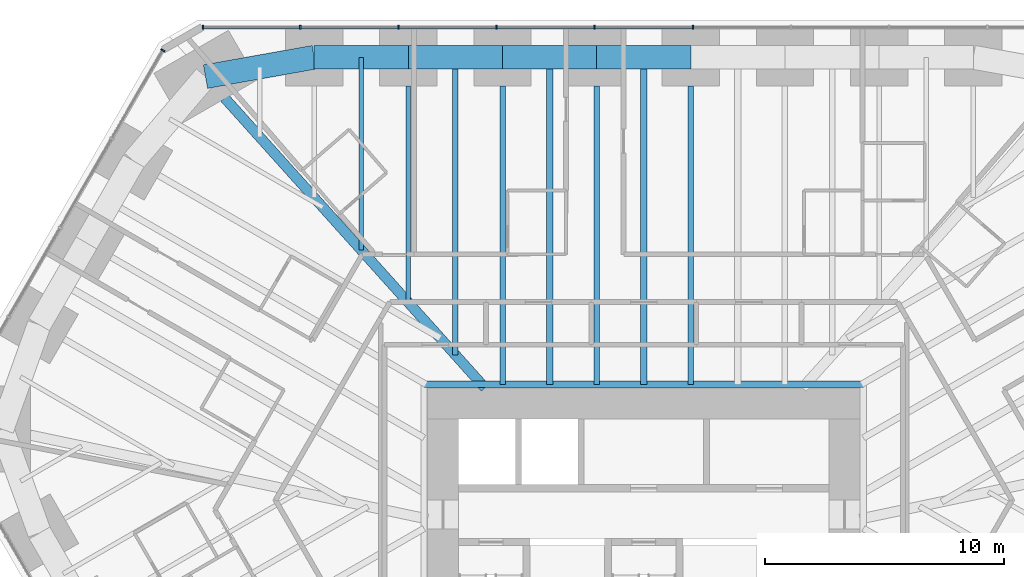
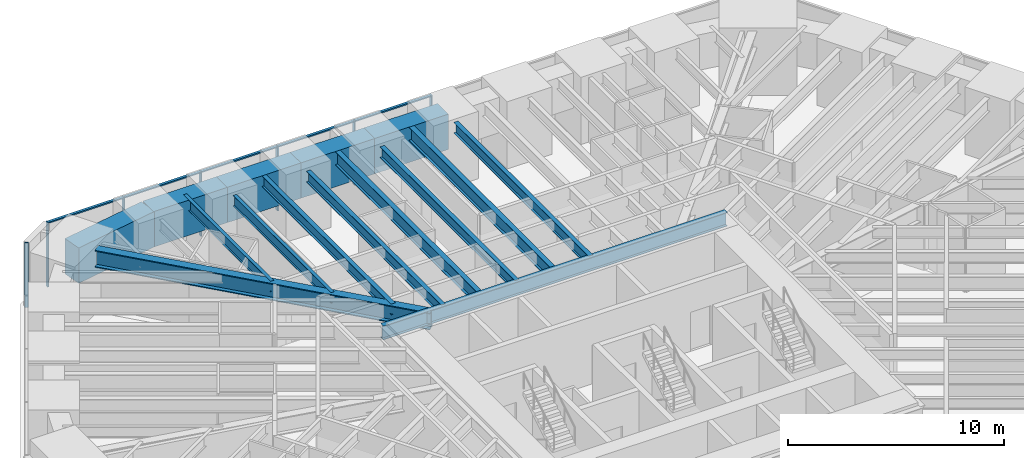
# One storey, part 8 of 17: 15 beams, 12 members, 2 elements without a shape of their own.
"""IFC4 building model written with IfcOpenShell, lengths in metres."""

from ifc_helpers import new_model, si_unit, direction, frame, origin, origin_2d, place, context, subcontext, project, spatial, rectangle, i_section, extrude, material, material_profile, profile_set, type_object, element, aggregate, save


model = new_model("IFC4")

# Units and contexts
model_context = context("Model", 3, precision=1e-05, world=origin(), true_north=direction((0.0, 1.0)))
body_context = subcontext(model_context, "Body", "Model", "MODEL_VIEW")
ifc_project = project(units=[si_unit("LENGTHUNIT", "METRE"), si_unit("AREAUNIT", "SQUARE_METRE"), si_unit("VOLUMEUNIT", "CUBIC_METRE"), si_unit("PLANEANGLEUNIT", "RADIAN"), si_unit("MASSUNIT", "GRAM", prefix="KILO")], contexts=[model_context])

# Site, building, storey
site_placement = place(None, origin())
site = spatial("IfcSite", under=ifc_project, at=site_placement, CompositionType="ELEMENT")
building_placement = place(site_placement, origin())
building = spatial("IfcBuilding", under=site, at=building_placement, Name="Sandreach Pilgrim Tower", CompositionType="ELEMENT")
storey_placement = place(building_placement, frame((0.0, 0.0, 100.60009765625)))
storey = spatial("IfcBuildingStorey", under=building, at=storey_placement, Name="L24", CompositionType="ELEMENT", Elevation=100.60009765625)

# Curtain wall, members
ifc_material_1 = material(Name="Aluminium framed curtain wall", Category="aluminium")
curtain_wall_type = type_object("IfcCurtainWallType", Name="Hotel tower curtain wall", PredefinedType="NOTDEFINED", material=ifc_material_1)
curtain_wall_1_placement = place(storey_placement, origin())
curtain_wall_1 = element("IfcCurtainWall", 1, at=curtain_wall_1_placement, inside=storey, type_object=curtain_wall_type, Name="CW-2 L24 N", PredefinedType="NOTDEFINED")
ifc_material_2 = material(Name="Aluminium extrusion", Category="aluminium")
ifc_material_profile_1 = material_profile(ifc_material_2, rectangle(XDim=0.06494140625, YDim=0.179931640625, at=origin_2d()), Name="CW-2M 65X180")
ifc_profile_set_1 = profile_set([ifc_material_profile_1], Name="Aluminium extrusion")
member_type_1 = type_object("IfcMemberType", Name="CW-2 mullion", PredefinedType="MULLION", material=ifc_profile_set_1)
member_1_placement = place(storey_placement, frame((-18.448974609375, 22.493896484375, 0.0), z_axis=(0.0, 0.0, 1.0), x_axis=(1.0, 0.0, 0.0)))
member_1 = element("IfcMember", 2, at=member_1_placement, type_object=member_type_1, Name="CW-2 mullion 1", PredefinedType="MULLION", context=body_context, shape_type="SweptSolid", body=[
    extrude(rectangle(XDim=0.06494140625, YDim=0.179931640625, at=origin_2d()), origin(), (0.0, 0.0, 1.0), 3.639892578125),
])
member_2_placement = place(storey_placement, frame((-14.37451171875, 22.493896484375, 0.0), z_axis=(0.0, 0.0, 1.0), x_axis=(1.0, 0.0, 0.0)))
member_2 = element("IfcMember", 3, at=member_2_placement, type_object=member_type_1, Name="CW-2 mullion 2", PredefinedType="MULLION", context=body_context, shape_type="SweptSolid", body=[
    extrude(rectangle(XDim=0.06494140625, YDim=0.179931640625, at=origin_2d()), origin(), (0.0, 0.0, 1.0), 3.639892578125),
])
member_3_placement = place(storey_placement, frame((-10.267333984375, 22.493896484375, 0.0), z_axis=(0.0, 0.0, 1.0), x_axis=(1.0, 0.0, 0.0)))
member_3 = element("IfcMember", 4, at=member_3_placement, type_object=member_type_1, Name="CW-2 mullion 3", PredefinedType="MULLION", context=body_context, shape_type="SweptSolid", body=[
    extrude(rectangle(XDim=0.06494140625, YDim=0.179931640625, at=origin_2d()), origin(), (0.0, 0.0, 1.0), 3.639892578125),
])
member_4_placement = place(storey_placement, frame((-6.160400390625, 22.493896484375, 0.0), z_axis=(0.0, 0.0, 1.0), x_axis=(1.0, 0.0, 0.0)))
member_4 = element("IfcMember", 5, at=member_4_placement, type_object=member_type_1, Name="CW-2 mullion 4", PredefinedType="MULLION", context=body_context, shape_type="SweptSolid", body=[
    extrude(rectangle(XDim=0.06494140625, YDim=0.179931640625, at=origin_2d()), origin(), (0.0, 0.0, 1.0), 3.639892578125),
])
member_5_placement = place(storey_placement, frame((-2.053466796875, 22.493896484375, 0.0), z_axis=(0.0, 0.0, 1.0), x_axis=(1.0, 0.0, 0.0)))
member_5 = element("IfcMember", 6, at=member_5_placement, type_object=member_type_1, Name="CW-2 mullion 5", PredefinedType="MULLION", context=body_context, shape_type="SweptSolid", body=[
    extrude(rectangle(XDim=0.06494140625, YDim=0.179931640625, at=origin_2d()), origin(), (0.0, 0.0, 1.0), 3.639892578125),
])
member_6_placement = place(storey_placement, frame((2.053466796875, 22.493896484375, 0.0), z_axis=(0.0, 0.0, 1.0), x_axis=(1.0, 0.0, 0.0)))
member_6 = element("IfcMember", 7, at=member_6_placement, type_object=member_type_1, Name="CW-2 mullion 6", PredefinedType="MULLION", context=body_context, shape_type="SweptSolid", body=[
    extrude(rectangle(XDim=0.06494140625, YDim=0.179931640625, at=origin_2d()), origin(), (0.0, 0.0, 1.0), 3.639892578125),
])

# Curtain wall, member
curtain_wall_2_placement = place(storey_placement, origin())
curtain_wall_2 = element("IfcCurtainWall", 8, at=curtain_wall_2_placement, inside=storey, type_object=curtain_wall_type, Name="CW-2 L24 NW", PredefinedType="NOTDEFINED")
member_7_placement = place(storey_placement, frame((-20.125732421875, 21.525634765625, 0.0), z_axis=(0.0, 0.0, 1.0), x_axis=(0.5, 0.866025403784, 0.0)))
member_7 = element("IfcMember", 9, at=member_7_placement, type_object=member_type_1, Name="CW-2 mullion 5", PredefinedType="MULLION", context=body_context, shape_type="SweptSolid", body=[
    extrude(rectangle(XDim=0.06494140625, YDim=0.179931640625, at=origin_2d()), origin(), (0.0, 0.0, 1.0), 3.639892578125),
])
aggregate(curtain_wall_2, [member_7])

# Member
ifc_material_3 = material(Name="Aluminium extrusion", Category="aluminium")
ifc_material_profile_2 = material_profile(ifc_material_3, rectangle(XDim=0.139892578125, YDim=0.070068359375, at=origin_2d()), Name="CW-2T 140X70")
ifc_profile_set_2 = profile_set([ifc_material_profile_2], Name="Aluminium extrusion")
member_type_2 = type_object("IfcMemberType", Name="CW-2 transom", PredefinedType="USERDEFINED", material=ifc_profile_set_2)
member_8_placement = place(storey_placement, frame((-18.416259765625, 22.493896484375, 3.60498046875), z_axis=(1.0, 0.0, 0.0), x_axis=(0.0, 1.0, 0.0)))
member_8 = element("IfcMember", 10, at=member_8_placement, type_object=member_type_2, Name="CW-2 head transom 1", ObjectType="TRANSOM", PredefinedType="USERDEFINED", context=body_context, shape_type="SweptSolid", body=[
    extrude(rectangle(XDim=0.139892578125, YDim=0.070068359375, at=origin_2d()), origin(), (0.0, 0.0, 1.0), 4.00927734375),
])

member_9_placement = place(storey_placement, frame((-14.341796875, 22.493896484375, 3.60498046875), z_axis=(1.0, 0.0, 0.0), x_axis=(0.0, 1.0, 0.0)))
member_9 = element("IfcMember", 11, at=member_9_placement, type_object=member_type_2, Name="CW-2 head transom 2", ObjectType="TRANSOM", PredefinedType="USERDEFINED", context=body_context, shape_type="SweptSolid", body=[
    extrude(rectangle(XDim=0.139892578125, YDim=0.070068359375, at=origin_2d()), origin(), (0.0, 0.0, 1.0), 4.041748046875),
])

member_10_placement = place(storey_placement, frame((-10.23486328125, 22.493896484375, 3.60498046875), z_axis=(1.0, 0.0, 0.0), x_axis=(0.0, 1.0, 0.0)))
member_10 = element("IfcMember", 12, at=member_10_placement, type_object=member_type_2, Name="CW-2 head transom 3", ObjectType="TRANSOM", PredefinedType="USERDEFINED", context=body_context, shape_type="SweptSolid", body=[
    extrude(rectangle(XDim=0.139892578125, YDim=0.070068359375, at=origin_2d()), origin(), (0.0, 0.0, 1.0), 4.0419921875),
])

member_11_placement = place(storey_placement, frame((-6.1279296875, 22.493896484375, 3.60498046875), z_axis=(1.0, 0.0, 0.0), x_axis=(0.0, 1.0, 0.0)))
member_11 = element("IfcMember", 13, at=member_11_placement, type_object=member_type_2, Name="CW-2 head transom 4", ObjectType="TRANSOM", PredefinedType="USERDEFINED", context=body_context, shape_type="SweptSolid", body=[
    extrude(rectangle(XDim=0.139892578125, YDim=0.070068359375, at=origin_2d()), origin(), (0.0, 0.0, 1.0), 4.0419921875),
])

member_12_placement = place(storey_placement, frame((-2.02099609375, 22.493896484375, 3.60498046875), z_axis=(1.0, 0.0, 0.0), x_axis=(0.0, 1.0, 0.0)))
member_12 = element("IfcMember", 14, at=member_12_placement, type_object=member_type_2, Name="CW-2 head transom 5", ObjectType="TRANSOM", PredefinedType="USERDEFINED", context=body_context, shape_type="SweptSolid", body=[
    extrude(rectangle(XDim=0.139892578125, YDim=0.070068359375, at=origin_2d()), origin(), (0.0, 0.0, 1.0), 4.0419921875),
])

aggregate(curtain_wall_1, [member_1, member_2, member_3, member_4, member_5, member_6, member_8, member_9, member_10, member_11, member_12])

# Beams
ifc_material_4 = material(Name="Steel ASTM A992 Grade 50", Category="steel")
ifc_material_profile_3 = material_profile(ifc_material_4, i_section(OverallWidth=0.2666015625, OverallDepth=0.77978515625, WebThickness=0.0166015625, FlangeThickness=0.030029296875, at=origin_2d()), Name="W30X148")
ifc_profile_set_3 = profile_set([ifc_material_profile_3], Name="Steel ASTM A992 Grade 50")
beam_type_1 = type_object("IfcBeamType", Name="Core edge beam W30X148", PredefinedType="BEAM", material=ifc_profile_set_3)
beam_1_placement = place(storey_placement, frame((-9.193359375, 7.54345703125, 3.25), z_axis=(1.0, 0.0, 0.0), x_axis=(0.0, 1.0, 0.0)))
element("IfcBeam", 15, at=beam_1_placement, inside=storey, type_object=beam_type_1, Name="BM L24 CEN", PredefinedType="BEAM", context=body_context, shape_type="SweptSolid", body=[
    extrude(i_section(OverallWidth=0.2666015625, OverallDepth=0.77978515625, WebThickness=0.0166015625, FlangeThickness=0.030029296875, at=origin_2d()), origin(), (0.0, 0.0, 1.0), 18.38671875),
])
ifc_material_5 = material(Name="Steel ASTM A992 Grade 50", Category="steel")
ifc_material_profile_4 = material_profile(ifc_material_5, i_section(OverallWidth=0.424072265625, OverallDepth=0.965087890625, WebThickness=0.028564453125, FlangeThickness=0.051025390625, at=origin_2d()), Name="W36X361")
ifc_profile_set_4 = profile_set([ifc_material_profile_4], Name="Steel ASTM A992 Grade 50")
beam_type_2 = type_object("IfcBeamType", Name="Corner girder W36X361", PredefinedType="BEAM", material=ifc_profile_set_4)
beam_2_placement = place(storey_placement, frame((-17.53759765625, 19.531005859375, 3.1572265625), z_axis=(0.668111331361, -0.744061320663, 0.0), x_axis=(0.744061320663, 0.668111331361, 0.0)))
element("IfcBeam", 16, at=beam_2_placement, inside=storey, type_object=beam_type_2, Name="BM L24 CG39", PredefinedType="BEAM", context=body_context, shape_type="SweptSolid", body=[
    extrude(i_section(OverallWidth=0.424072265625, OverallDepth=0.965087890625, WebThickness=0.028564453125, FlangeThickness=0.051025390625, at=origin_2d()), origin(), (0.0, 0.0, 1.0), 16.303955078125),
])
ifc_material_6 = material(Name="Steel ASTM A992 Grade 50", Category="steel")
ifc_material_profile_5 = material_profile(ifc_material_6, i_section(OverallWidth=0.1787109375, OverallDepth=0.60205078125, WebThickness=0.010986328125, FlangeThickness=0.014892578125, at=origin_2d()), Name="W24X62")
ifc_profile_set_5 = profile_set([ifc_material_profile_5], Name="Steel ASTM A992 Grade 50")
beam_type_3 = type_object("IfcBeamType", Name="Floor beam W24X62", PredefinedType="BEAM", material=ifc_profile_set_5)
beam_3_placement = place(storey_placement, frame((-9.849853515625, 20.03369140625, 3.3388671875), z_axis=(0.0, -1.0, 0.0), x_axis=(1.0, 0.0, 0.0)))
element("IfcBeam", 17, at=beam_3_placement, inside=storey, type_object=beam_type_3, Name="BM L24 F02", PredefinedType="BEAM", context=body_context, shape_type="SweptSolid", body=[
    extrude(i_section(OverallWidth=0.1787109375, OverallDepth=0.60205078125, WebThickness=0.010986328125, FlangeThickness=0.014892578125, at=origin_2d()), origin(), (0.0, 0.0, 1.0), 9.064208984375),
])
beam_4_placement = place(storey_placement, frame((-11.81982421875, 21.23388671875, 3.3388671875), z_axis=(0.0, -1.0, 0.0), x_axis=(1.0, 0.0, 0.0)))
element("IfcBeam", 18, at=beam_4_placement, inside=storey, type_object=beam_type_3, Name="BM L24 FM01", PredefinedType="BEAM", context=body_context, shape_type="SweptSolid", body=[
    extrude(i_section(OverallWidth=0.1787109375, OverallDepth=0.60205078125, WebThickness=0.010986328125, FlangeThickness=0.014892578125, at=origin_2d()), origin(), (0.0, 0.0, 1.0), 8.070556640625),
])
ifc_material_7 = material(Name="Steel ASTM A992 Grade 50", Category="steel")
ifc_material_profile_6 = material_profile(ifc_material_7, i_section(OverallWidth=0.23046875, OverallDepth=0.6171875, WebThickness=0.01318359375, FlangeThickness=0.022216796875, at=origin_2d()), Name="W24X94")
ifc_profile_set_6 = profile_set([ifc_material_profile_6], Name="Steel ASTM A992 Grade 50")
beam_type_4 = type_object("IfcBeamType", Name="Floor beam W24X94", PredefinedType="BEAM", material=ifc_profile_set_6)
for number, where, z_axis, x_axis, name in (
    (19, (-5.909912109375, 20.03369140625, 3.331298828125), (0.0, -1.0, 0.0), (1.0, 0.0, 0.0), "BM L24 F03"),
    (20, (-1.969970703125, 20.03369140625, 3.331298828125), (0.0, -1.0, 0.0), (1.0, 0.0, 0.0), "BM L24 F04"),
    (21, (1.969970703125, 20.03369140625, 3.331298828125), (0.0, -1.0, 0.0), (1.0, 0.0, 0.0), "BM L24 F05"),
):
    element("IfcBeam", number, at=place(storey_placement, frame(where, z_axis=z_axis, x_axis=x_axis)), inside=storey, type_object=beam_type_4, Name=name, PredefinedType="BEAM", context=body_context, shape_type="SweptSolid", body=[
        extrude(i_section(OverallWidth=0.23046875, OverallDepth=0.6171875, WebThickness=0.01318359375, FlangeThickness=0.022216796875, at=origin_2d()), origin(), (0.0, 0.0, 1.0), 12.490234375),
    ])
beam_5_placement = place(storey_placement, frame((-7.8798828125, 21.23388671875, 3.331298828125), z_axis=(0.0, -1.0, 0.0), x_axis=(1.0, 0.0, 0.0)))
element("IfcBeam", 22, at=beam_5_placement, inside=storey, type_object=beam_type_4, Name="BM L24 FM02", PredefinedType="BEAM", context=body_context, shape_type="SweptSolid", body=[
    extrude(i_section(OverallWidth=0.23046875, OverallDepth=0.6171875, WebThickness=0.01318359375, FlangeThickness=0.022216796875, at=origin_2d()), origin(), (0.0, 0.0, 1.0), 12.458251953125),
])
ifc_material_8 = material(Name="Steel ASTM A992 Grade 50", Category="steel")
ifc_material_profile_7 = material_profile(ifc_material_8, i_section(OverallWidth=0.2666015625, OverallDepth=0.761962890625, WebThickness=0.014404296875, FlangeThickness=0.021484375, at=origin_2d()), Name="W30X116")
ifc_profile_set_7 = profile_set([ifc_material_profile_7], Name="Steel ASTM A992 Grade 50")
beam_type_5 = type_object("IfcBeamType", Name="Floor beam W30X116", PredefinedType="BEAM", material=ifc_profile_set_7)
for number, where, z_axis, x_axis, name in (
    (23, (-3.93994140625, 21.23388671875, 3.2587890625), (0.0, -1.0, 0.0), (1.0, 0.0, 0.0), "BM L24 FM03"),
    (24, (0.0, 21.23388671875, 3.2587890625), (0.0, -1.0, 0.0), (1.0, 0.0, 0.0), "BM L24 FM04"),
):
    element("IfcBeam", number, at=place(storey_placement, frame(where, z_axis=z_axis, x_axis=x_axis)), inside=storey, type_object=beam_type_5, Name=name, PredefinedType="BEAM", context=body_context, shape_type="SweptSolid", body=[
        extrude(i_section(OverallWidth=0.2666015625, OverallDepth=0.761962890625, WebThickness=0.014404296875, FlangeThickness=0.021484375, at=origin_2d()), origin(), (0.0, 0.0, 1.0), 13.6904296875),
    ])
ifc_material_9 = material(Name="Concrete 10000 psi", Category="concrete")
ifc_material_profile_8 = material_profile(ifc_material_9, rectangle(XDim=1.0, YDim=2.0, at=origin_2d()), Name="RC1000X2000")
ifc_profile_set_8 = profile_set([ifc_material_profile_8], Name="Concrete 10000 psi")
beam_type_6 = type_object("IfcBeamType", Name="Spandrel beam RC1000X2000", PredefinedType="SPANDREL", material=ifc_profile_set_8)
for number, where, z_axis, x_axis, name in (
    (25, (-13.789794921875, 21.23388671875, 2.639892578125), (1.0, 0.0, 0.0), (0.0, 1.0, 0.0), "BM L24 SP01"),
    (26, (-9.849853515625, 21.23388671875, 2.639892578125), (1.0, 0.0, 0.0), (0.0, 1.0, 0.0), "BM L24 SP02"),
    (27, (-5.909912109375, 21.23388671875, 2.639892578125), (1.0, 0.0, 0.0), (0.0, 1.0, 0.0), "BM L24 SP03"),
    (28, (-1.969970703125, 21.23388671875, 2.639892578125), (1.0, 0.0, 0.0), (0.0, 1.0, 0.0), "BM L24 SP04"),
):
    element("IfcBeam", number, at=place(storey_placement, frame(where, z_axis=z_axis, x_axis=x_axis)), inside=storey, type_object=beam_type_6, Name=name, PredefinedType="SPANDREL", context=body_context, shape_type="SweptSolid", body=[
        extrude(rectangle(XDim=1.0, YDim=2.0, at=origin_2d()), origin(), (0.0, 0.0, 1.0), 3.93994140625),
    ])
beam_6_placement = place(storey_placement, frame((-18.33935546875, 20.423828125, 2.639892578125), z_axis=(0.984515938739, 0.175295083699, 0.0), x_axis=(-0.175295083699, 0.984515938739, 0.0)))
element("IfcBeam", 29, at=beam_6_placement, inside=storey, type_object=beam_type_6, Name="BM L24 SP39", PredefinedType="SPANDREL", context=body_context, shape_type="SweptSolid", body=[
    extrude(rectangle(XDim=1.0, YDim=2.0, at=origin_2d()), origin(), (0.0, 0.0, 1.0), 4.62109375),
])

save(model, "model.ifc")
